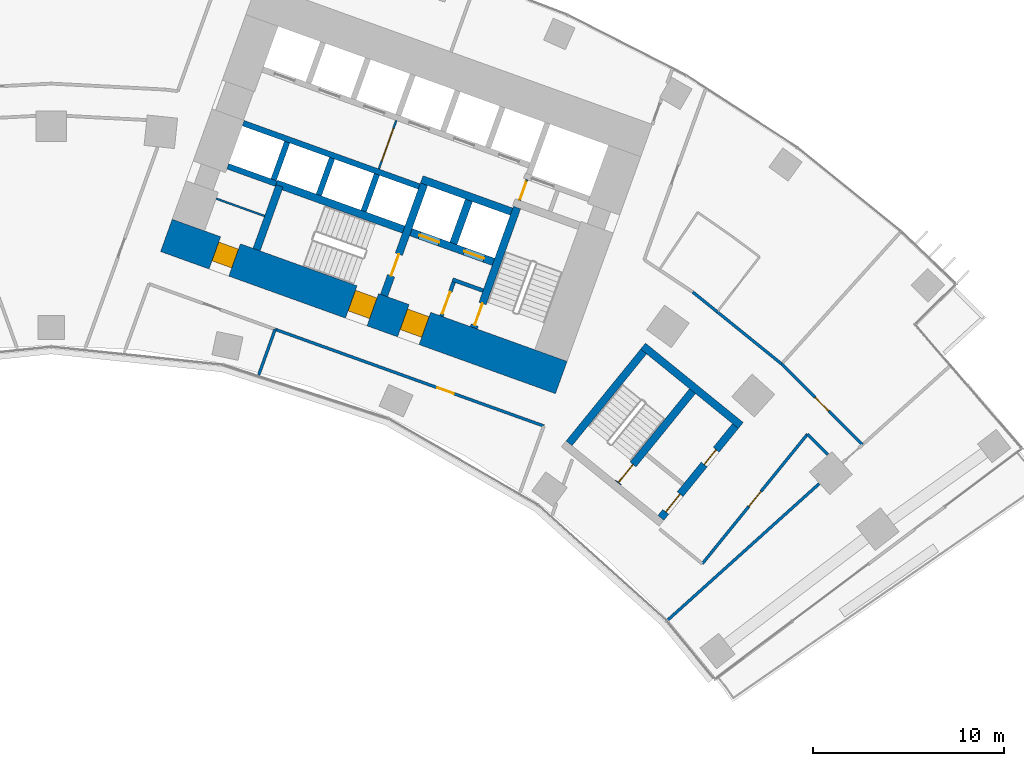
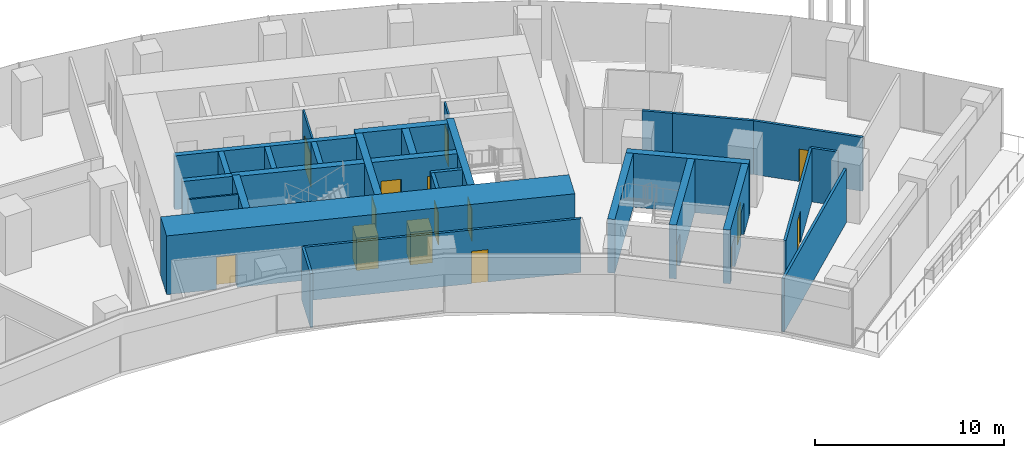
# One storey, part 17 of 21: 29 walls, 16 doors, 16 openings.
"""IFC4 building model written with IfcOpenShell, lengths in metres."""

import ifcopenshell
import ifcopenshell.guid

model = None  # the IFC model being written
_history = None  # IfcOwnerHistory: only IFC2X3 demands one
_inside = {}  # id of a spatial element -> (the spatial element, [elements in it])
_under = {}  # id of a project, library or spatial element -> (it, [spatial elements below it])
_declared = {}  # id of a project -> (the project, [libraries it declares])
_typed = {}  # id of a type object -> (the type object, [elements of that type])
_made_of = {}  # id of a material, layer set ... -> (it, [elements and type objects made of it])


def new_model(schema):
    """Start an empty IFC model of exactly this schema.

    Asked for "IFC4X3", IfcOpenShell would pick the latest addendum, in which some entities
    have other attributes; the version numbers below select the first issue.
    IFC2X3 requires an IfcOwnerHistory on every rooted entity: one is made here for all.
    """
    global model, _history
    if schema == "IFC4X3":
        model = ifcopenshell.file(schema_version=(4, 3, 0, 0))
    else:
        model = ifcopenshell.file(schema=schema)
    _inside.clear()
    _under.clear()
    _declared.clear()
    _typed.clear()
    _made_of.clear()
    _history = None
    if model.schema == "IFC2X3":
        org = make("IfcOrganization", Name="unknown")
        user = make(
            "IfcPersonAndOrganization",
            ThePerson=make("IfcPerson", FamilyName="unknown"),
            TheOrganization=org,
        )
        app = make(
            "IfcApplication",
            ApplicationDeveloper=org,
            Version="unknown",
            ApplicationFullName="unknown",
            ApplicationIdentifier="unknown",
        )
        _history = make(
            "IfcOwnerHistory",
            OwningUser=user,
            OwningApplication=app,
            ChangeAction="ADDED",
            CreationDate=0,
        )
    return model


def make(cls, **values):
    """One entity of the class cls with the attributes given. An attribute that is None is left unset."""
    return model.create_entity(
        cls, **{name: value for name, value in values.items() if value is not None}
    )


def rooted(cls, **values):
    """An entity with a GlobalId (a new one), such as an element, a storey or a relation."""
    return make(cls, GlobalId=ifcopenshell.guid.new(), OwnerHistory=_history, **values)


def si_unit(unit_type, name, prefix=None):
    """IfcSIUnit, for example si_unit("LENGTHUNIT", "METRE", prefix="MILLI")."""
    return make("IfcSIUnit", UnitType=unit_type, Prefix=prefix, Name=name)


def assignment(units):
    """IfcUnitAssignment: the units of a project."""
    return None if units is None else make("IfcUnitAssignment", Units=units)


def point(xyz):
    """IfcCartesianPoint."""
    return None if xyz is None else make("IfcCartesianPoint", Coordinates=xyz)


def direction(xyz):
    """IfcDirection."""
    return None if xyz is None else make("IfcDirection", DirectionRatios=xyz)


def frame(location, z_axis=None, x_axis=None):
    """IfcAxis2Placement3D, a coordinate frame: its origin and axes. An axis left out is left unset."""
    return make(
        "IfcAxis2Placement3D",
        Location=point(location),
        Axis=direction(z_axis),
        RefDirection=direction(x_axis),
    )


def frame_2d(location, x_axis=None):
    """IfcAxis2Placement2D, a coordinate frame in the plane: its origin and x axis."""
    return make(
        "IfcAxis2Placement2D", Location=point(location), RefDirection=direction(x_axis)
    )


def origin():
    """The frame at (0, 0, 0) with its axes left unset."""
    return frame((0.0, 0.0, 0.0))


def place(relative_to, where):
    """IfcLocalPlacement: puts the frame where relative to a parent placement (None: the world)."""
    return make(
        "IfcLocalPlacement", PlacementRelTo=relative_to, RelativePlacement=where
    )


def context(
    kind, dimensions, precision=None, world=None, true_north=None, identifier=None
):
    """IfcGeometricRepresentationContext, for example the 3D "Model" context."""
    return make(
        "IfcGeometricRepresentationContext",
        ContextIdentifier=identifier,
        ContextType=kind,
        CoordinateSpaceDimension=dimensions,
        Precision=precision,
        WorldCoordinateSystem=world,
        TrueNorth=true_north,
    )


def subcontext(parent, identifier, kind, view, scale=None):
    """IfcGeometricRepresentationSubContext, for example "Body" below "Model"."""
    return make(
        "IfcGeometricRepresentationSubContext",
        ContextIdentifier=identifier,
        ContextType=kind,
        ParentContext=parent,
        TargetScale=scale,
        TargetView=view,
    )


def project(units=None, contexts=None):
    """IfcProject with its units and contexts."""
    return rooted(
        "IfcProject",
        Name="project",
        RepresentationContexts=contexts,
        UnitsInContext=assignment(units),
    )


def spatial(cls, under=None, at=None, **own):
    """A site, building, storey or space (cls), placed at a placement, below another one or the project."""
    s = rooted(cls, ObjectPlacement=at, **own)
    if under is not None:
        _under.setdefault(under.id(), (under, []))[1].append(s)
    return s


def profile(cls, at=None, kind="AREA", **sizes):
    """A parametric profile (cls). Its sizes go by their IFC names, for example OverallWidth=200.0."""
    return make(cls, ProfileType=kind, Position=at, **sizes)


def rectangle(**sizes):
    """IfcRectangleProfileDef."""
    return profile("IfcRectangleProfileDef", **sizes)


def extrude(swept, where, along, depth):
    """IfcExtrudedAreaSolid: the profile swept, set in the frame where, extruded along a direction by depth."""
    return make(
        "IfcExtrudedAreaSolid",
        SweptArea=swept,
        Position=where,
        ExtrudedDirection=direction(along),
        Depth=depth,
    )


def shape(context_of_items, identifier, shape_type, items):
    """IfcShapeRepresentation: the items that make up one representation, for example the "Body"."""
    return make(
        "IfcShapeRepresentation",
        ContextOfItems=context_of_items,
        RepresentationIdentifier=identifier,
        RepresentationType=shape_type,
        Items=items,
    )


def material(Name=None, Category=None):
    """IfcMaterial."""
    return make("IfcMaterial", Name=Name, Category=Category)


def layer(
    of_material, thickness, ventilated=None, Name=None, Category=None, Priority=None
):
    """IfcMaterialLayer: one layer of a wall or slab, of a material (None: an air gap)."""
    return make(
        "IfcMaterialLayer",
        Material=of_material,
        LayerThickness=thickness,
        IsVentilated=ventilated,
        Name=Name,
        Category=Category,
        Priority=Priority,
    )


def layer_set(layers, Name=None):
    """IfcMaterialLayerSet."""
    return make("IfcMaterialLayerSet", MaterialLayers=layers, LayerSetName=Name)


def made_of(thing, what):
    """Note that an element or type object is made of a material, layer set ...; save() writes the relation."""
    if what is not None:
        _made_of.setdefault(what.id(), (what, []))[1].append(thing)
    return thing


def type_object(cls, material=None, **own):
    """A type object (cls), such as IfcWallType, which elements share."""
    return made_of(rooted(cls, **own), material)


def element(
    cls,
    number,
    at=None,
    inside=None,
    cuts=None,
    type_object=None,
    material=None,
    context=None,
    identifier="Body",
    shape_type=None,
    held_by="IfcProductDefinitionShape",
    body=None,
    shapes=None,
    **own,
):
    """One element of the class cls, such as IfcWall. Its Tag is "e" and its number.

    at: its placement. inside: the storey or other place that contains it. cuts: it is an
    opening in that element (IfcRelVoidsElement). A single representation is given by context,
    identifier, shape_type and body (its items); several are given by shapes. held_by: the class
    of the entity that holds the representations. save() writes the other relations.
    """
    e = rooted(cls, Tag="e%d" % number, ObjectPlacement=at, **own)
    if body is not None:
        shapes = [shape(context, identifier, shape_type, body)]
    if shapes is not None:
        e.Representation = make(held_by, Representations=shapes)
    if inside is not None:
        _inside.setdefault(inside.id(), (inside, []))[1].append(e)
    if cuts is not None:
        rooted(
            "IfcRelVoidsElement", RelatingBuildingElement=cuts, RelatedOpeningElement=e
        )
    if type_object is not None:
        _typed.setdefault(type_object.id(), (type_object, []))[1].append(e)
    return made_of(e, material)


def fill(opening, filler):
    """IfcRelFillsElement: the door or window that sits in an opening."""
    return rooted(
        "IfcRelFillsElement",
        RelatingOpeningElement=opening,
        RelatedBuildingElement=filler,
    )


def aggregate(whole, parts):
    """IfcRelAggregates: a whole, such as a stair, and the parts it consists of."""
    return rooted("IfcRelAggregates", RelatingObject=whole, RelatedObjects=parts)


def save(model, path):
    """Write the relations noted so far, then the file.

    IfcRelAggregates (storeys below a building ...), IfcRelContainedInSpatialStructure (elements
    in a storey), IfcRelDefinesByType, IfcRelAssociatesMaterial and IfcRelDeclares: one each for
    every whole, place, type object, material and project.
    """
    for whole, parts in _under.values():
        aggregate(whole, parts)
    for where, things in _inside.values():
        rooted(
            "IfcRelContainedInSpatialStructure",
            RelatedElements=things,
            RelatingStructure=where,
        )
    for kind, things in _typed.values():
        rooted("IfcRelDefinesByType", RelatedObjects=things, RelatingType=kind)
    for what, things in _made_of.values():
        rooted("IfcRelAssociatesMaterial", RelatedObjects=things, RelatingMaterial=what)
    for by, libraries in _declared.values():
        rooted("IfcRelDeclares", RelatingContext=by, RelatedDefinitions=libraries)
    model.write(path)


model = new_model("IFC4")

# Units and contexts
model_context = context("Model", 3, precision=1e-05, world=origin(), true_north=direction((0.0, 1.0)))
body_context = subcontext(model_context, "Body", "Model", "MODEL_VIEW")
ifc_project = project(units=[si_unit("LENGTHUNIT", "METRE"), si_unit("AREAUNIT", "SQUARE_METRE"), si_unit("VOLUMEUNIT", "CUBIC_METRE"), si_unit("PLANEANGLEUNIT", "RADIAN"), si_unit("MASSUNIT", "GRAM", prefix="KILO")], contexts=[model_context])

# Site, building, storey
site_placement = place(None, origin())
site = spatial("IfcSite", under=ifc_project, at=site_placement, CompositionType="ELEMENT")
building_placement = place(site_placement, origin())
building = spatial("IfcBuilding", under=site, at=building_placement, Name="Stone Belt Terrace Tower", CompositionType="ELEMENT")
storey_placement = place(building_placement, frame((0.0, 0.0, 68.0)))
storey = spatial("IfcBuildingStorey", under=building, at=storey_placement, Name="L16", CompositionType="ELEMENT", Elevation=68.0)

# Wall, opening, door
ifc_material_1 = material(Name="Plasterboard partition")
ifc_layer_1 = layer(ifc_material_1, 0.10009765625)
ifc_layer_set_1 = layer_set([ifc_layer_1], Name="Core partition 100")
wall_type_1 = type_object("IfcWallType", Name="Core partition 100", PredefinedType="PARTITIONING", material=ifc_layer_set_1)
wall_1_placement = place(storey_placement, frame((24.555908203125, 51.10400390625, 0.0), z_axis=(0.0, 0.0, 1.0), x_axis=(0.338621735342, 0.94092258999, 0.0)))
wall_1 = element("IfcWall", 1, at=wall_1_placement, inside=storey, type_object=wall_type_1, Name="Core B wall", PredefinedType="PARTITIONING", context=body_context, shape_type="SweptSolid", body=[
    extrude(rectangle(XDim=1.14990234375, YDim=0.10009765625, at=frame_2d((0.574951171875, 0.0))), origin(), (0.0, 0.0, 1.0), 3.47998046875),
])
opening_1_placement = place(wall_1_placement, frame((0.050048828125, 0.0, 0.0)))
opening_1 = element("IfcOpeningElement", 2, at=opening_1_placement, cuts=wall_1, Name="Opening L16-C13", PredefinedType="OPENING", context=body_context, shape_type="SweptSolid", body=[
    extrude(rectangle(XDim=1.0, YDim=2.10009765625, at=frame_2d((0.5, 1.050048828125))), frame((0.0, 0.06005859375, 0.0), z_axis=(0.0, -1.0, 0.0), x_axis=(1.0, 0.0, 0.0)), (0.0, 0.0, 1.0), 0.1201171875),
])
ifc_material_2 = material(Name="Timber door leaf", Category="wood")
door_type_1 = type_object("IfcDoorType", Name="Core room door 1000", OperationType="SINGLE_SWING_LEFT", PredefinedType="DOOR", material=ifc_material_2)
door_1_placement = place(opening_1_placement, origin())
door_1 = element("IfcDoor", 3, at=door_1_placement, inside=storey, type_object=door_type_1, Name="Service lift lobby door core B", OperationType="SINGLE_SWING_LEFT", OverallHeight=2.10009765625, OverallWidth=1.0, PredefinedType="DOOR", context=body_context, shape_type="SweptSolid", body=[
    extrude(rectangle(XDim=1.0, YDim=2.10009765625, at=frame_2d((0.5, 1.050048828125))), frame((0.0, 0.02490234375, 0.0), z_axis=(0.0, -1.0, 0.0), x_axis=(1.0, 0.0, 0.0)), (0.0, 0.0, 1.0), 0.050048828125),
])
fill(opening_1, door_1)

wall_2_placement = place(storey_placement, frame((17.17724609375, 52.749755859375, 0.0), z_axis=(0.0, 0.0, 1.0), x_axis=(0.338546555931, 0.940949642365, 0.0)))
wall_2 = element("IfcWall", 4, at=wall_2_placement, inside=storey, type_object=wall_type_1, Name="Core B wall", PredefinedType="PARTITIONING", context=body_context, shape_type="SweptSolid", body=[
    extrude(rectangle(XDim=2.699951171875, YDim=0.10009765625, at=frame_2d((1.35009765625, 0.0))), origin(), (0.0, 0.0, 1.0), 3.47998046875),
])
opening_2_placement = place(wall_2_placement, frame((0.449951171875, 0.0, 0.0)))
opening_2 = element("IfcOpeningElement", 5, at=opening_2_placement, cuts=wall_2, Name="Opening L16-C14", PredefinedType="OPENING", context=body_context, shape_type="SweptSolid", body=[
    extrude(rectangle(XDim=1.800048828125, YDim=2.10009765625, at=frame_2d((0.89990234375, 1.050048828125))), frame((0.0, 0.06005859375, 0.0), z_axis=(0.0, -1.0, 0.0), x_axis=(1.0, 0.0, 0.0)), (0.0, 0.0, 1.0), 0.1201171875),
])
ifc_material_3 = material(Name="Glazed aluminium door leaf", Category="aluminium")
door_type_2 = type_object("IfcDoorType", Name="Lift lobby entrance door 1800", OperationType="DOUBLE_DOOR_SINGLE_SWING", PredefinedType="DOOR", material=ifc_material_3)
door_2_placement = place(opening_2_placement, origin())
door_2 = element("IfcDoor", 6, at=door_2_placement, inside=storey, type_object=door_type_2, Name="Lift lobby double door core B", OperationType="DOUBLE_DOOR_SINGLE_SWING", OverallHeight=2.10009765625, OverallWidth=1.800048828125, PredefinedType="DOOR", context=body_context, shape_type="SweptSolid", body=[
    extrude(rectangle(XDim=1.800048828125, YDim=2.10009765625, at=frame_2d((0.89990234375, 1.050048828125))), frame((0.0, 0.02490234375, 0.0), z_axis=(0.0, -1.0, 0.0), x_axis=(1.0, 0.0, 0.0)), (0.0, 0.0, 1.0), 0.050048828125),
])
fill(opening_2, door_2)

# Wall
wall_3_placement = place(storey_placement, frame((11.187744140625, 50.2822265625, 0.0), z_axis=(0.0, 0.0, 1.0), x_axis=(-0.940949642365, 0.338546555931, 0.0)))
element("IfcWall", 7, at=wall_3_placement, inside=storey, type_object=wall_type_1, Name="Core B wall", PredefinedType="PARTITIONING", context=body_context, shape_type="SweptSolid", body=[
    extrude(rectangle(XDim=2.699951171875, YDim=0.10009765625, at=frame_2d((1.35009765625, 0.0))), origin(), (0.0, 0.0, 1.0), 3.47998046875),
])

# Wall, openings, doors
ifc_material_4 = material(Name="Concrete B80", Category="concrete")
ifc_layer_2 = layer(ifc_material_4, 1.800048828125)
ifc_layer_set_2 = layer_set([ifc_layer_2], Name="Core wall 1800 B80")
wall_type_2 = type_object("IfcWallType", Name="Core wall 1800 B80", PredefinedType="SHEAR", material=ifc_layer_set_2)
wall_4_placement = place(storey_placement, frame((6.039306640625, 49.265380859375, 0.0), z_axis=(0.0, 0.0, 1.0), x_axis=(0.940921642213, -0.338624368902, 0.0)))
wall_4 = element("IfcWall", 8, at=wall_4_placement, inside=storey, type_object=wall_type_2, Name="Core B wall concave L16", PredefinedType="SHEAR", context=body_context, shape_type="SweptSolid", body=[
    extrude(rectangle(XDim=22.0, YDim=1.800048828125, at=frame_2d((11.0, 0.0))), origin(), (0.0, 0.0, 1.0), 3.800048828125),
])
opening_3_placement = place(wall_4_placement, frame((13.199951171875, 0.0, 0.0)))
opening_3 = element("IfcOpeningElement", 9, at=opening_3_placement, cuts=wall_4, Name="Opening L16-C18", PredefinedType="OPENING", context=body_context, shape_type="SweptSolid", body=[
    extrude(rectangle(XDim=1.199951171875, YDim=2.10009765625, at=frame_2d((0.60009765625, 1.050048828125))), frame((0.0, 0.909912109375, 0.0), z_axis=(0.0, -1.0, 0.0), x_axis=(1.0, 0.0, 0.0)), (0.0, 0.0, 1.0), 1.820068359375),
])
opening_4_placement = place(wall_4_placement, frame((10.300048828125, 0.0, 0.0)))
opening_4 = element("IfcOpeningElement", 10, at=opening_4_placement, cuts=wall_4, Name="Opening L16-C20", PredefinedType="OPENING", context=body_context, shape_type="SweptSolid", body=[
    extrude(rectangle(XDim=1.199951171875, YDim=2.10009765625, at=frame_2d((0.60009765625, 1.050048828125))), frame((0.0, 0.909912109375, 0.0), z_axis=(0.0, -1.0, 0.0), x_axis=(1.0, 0.0, 0.0)), (0.0, 0.0, 1.0), 1.820068359375),
])
opening_5_placement = place(wall_4_placement, frame((2.699951171875, 0.0, 0.0)))
opening_5 = element("IfcOpeningElement", 11, at=opening_5_placement, cuts=wall_4, Name="Opening L16-C22", PredefinedType="OPENING", context=body_context, shape_type="SweptSolid", body=[
    extrude(rectangle(XDim=1.10009765625, YDim=2.10009765625, at=frame_2d((0.550048828125, 1.050048828125))), frame((0.0, 0.909912109375, 0.0), z_axis=(0.0, -1.0, 0.0), x_axis=(1.0, 0.0, 0.0)), (0.0, 0.0, 1.0), 1.820068359375),
])
door_type_3 = type_object("IfcDoorType", Name="Core room door 1100", OperationType="SINGLE_SWING_LEFT", PredefinedType="DOOR", material=ifc_material_2)
door_3_placement = place(opening_5_placement, origin())
door_3 = element("IfcDoor", 12, at=door_3_placement, inside=storey, type_object=door_type_3, Name="Door to Cleaner's store core B", OperationType="SINGLE_SWING_LEFT", OverallHeight=2.10009765625, OverallWidth=1.10009765625, PredefinedType="DOOR", context=body_context, shape_type="SweptSolid", body=[
    extrude(rectangle(XDim=1.10009765625, YDim=2.10009765625, at=frame_2d((0.550048828125, 1.050048828125))), frame((0.0, 0.60498046875, 0.0), z_axis=(0.0, -1.0, 0.0), x_axis=(1.0, 0.0, 0.0)), (0.0, 0.0, 1.0), 1.050048828125),
])
fill(opening_5, door_3)
ifc_material_5 = material(Name="Steel door leaf", Category="steel")
door_type_4 = type_object("IfcDoorType", Name="Fire-fighting lobby door 1200", OperationType="SINGLE_SWING_LEFT", PredefinedType="DOOR", material=ifc_material_5)
door_4_placement = place(opening_3_placement, origin())
door_4 = element("IfcDoor", 13, at=door_4_placement, inside=storey, type_object=door_type_4, Name="Fire-fighting lobby door core B", OperationType="SINGLE_SWING_LEFT", OverallHeight=2.10009765625, OverallWidth=1.199951171875, PredefinedType="DOOR", context=body_context, shape_type="SweptSolid", body=[
    extrude(rectangle(XDim=1.199951171875, YDim=2.10009765625, at=frame_2d((0.60009765625, 1.050048828125))), frame((0.0, 0.655029296875, 0.0), z_axis=(0.0, -1.0, 0.0), x_axis=(1.0, 0.0, 0.0)), (0.0, 0.0, 1.0), 1.14990234375),
])
fill(opening_3, door_4)
door_type_5 = type_object("IfcDoorType", Name="Stair door 1200", OperationType="SINGLE_SWING_LEFT", PredefinedType="DOOR", material=ifc_material_5)
door_5_placement = place(opening_4_placement, origin())
door_5 = element("IfcDoor", 14, at=door_5_placement, inside=storey, type_object=door_type_5, Name="Stair 2 exit door core B", OperationType="SINGLE_SWING_RIGHT", OverallHeight=2.10009765625, OverallWidth=1.199951171875, PredefinedType="DOOR", context=body_context, shape_type="SweptSolid", body=[
    extrude(rectangle(XDim=1.199951171875, YDim=2.10009765625, at=frame_2d((0.60009765625, 1.050048828125))), frame((0.0, 0.655029296875, 0.0), z_axis=(0.0, -1.0, 0.0), x_axis=(1.0, 0.0, 0.0)), (0.0, 0.0, 1.0), 1.14990234375),
])
fill(opening_4, door_5)

# Walls
ifc_layer_3 = layer(ifc_material_4, 0.39990234375)
ifc_layer_set_3 = layer_set([ifc_layer_3], Name="Fire-fighting lift shaft wall 400")
wall_type_3 = type_object("IfcWallType", Name="Fire-fighting lift shaft wall 400", PredefinedType="SHEAR", material=ifc_layer_set_3)
wall_5_placement = place(storey_placement, frame((24.130615234375, 50.512939453125, 0.0), z_axis=(0.0, 0.0, 1.0), x_axis=(-0.94091168377, 0.338652038744, 0.0)))
element("IfcWall", 15, at=wall_5_placement, inside=storey, type_object=wall_type_3, Name="Core B wall", PredefinedType="SHEAR", context=body_context, shape_type="SweptSolid", body=[
    extrude(rectangle(XDim=5.000244140625, YDim=0.39990234375, at=frame_2d((2.5, 0.0))), origin(), (0.0, 0.0, 1.0), 3.47998046875),
])
wall_6_placement = place(storey_placement, frame((21.0859375, 48.845458984375, 0.0), z_axis=(0.0, 0.0, 1.0), x_axis=(0.338629416206, 0.940919825745, 0.0)))
element("IfcWall", 16, at=wall_6_placement, inside=storey, type_object=wall_type_3, Name="Core B wall", PredefinedType="SHEAR", context=body_context, shape_type="SweptSolid", body=[
    extrude(rectangle(XDim=2.400146484375, YDim=0.39990234375, at=frame_2d((1.2001953125, 0.0))), origin(), (0.0, 0.0, 1.0), 3.47998046875),
])
ifc_layer_4 = layer(ifc_material_4, 0.300048828125)
ifc_layer_set_4 = layer_set([ifc_layer_4], Name="Lift shaft wall 300")
wall_type_4 = type_object("IfcWallType", Name="Lift shaft wall 300", PredefinedType="SHEAR", material=ifc_layer_set_4)
wall_7_placement = place(storey_placement, frame((19.29052734375, 51.829833984375, 0.0), z_axis=(0.0, 0.0, 1.0), x_axis=(-0.940925833398, 0.338612722803, 0.0)))
element("IfcWall", 17, at=wall_7_placement, inside=storey, type_object=wall_type_4, Name="Core B wall", PredefinedType="SHEAR", context=body_context, shape_type="SweptSolid", body=[
    extrude(rectangle(XDim=9.7998046875, YDim=0.300048828125, at=frame_2d((4.89990234375, 0.0))), origin(), (0.0, 0.0, 1.0), 3.47998046875),
])
for number, where, z_axis, x_axis, name in (
    (18, (16.38134765625, 50.53857421875, 0.0), (0.0, 0.0, 1.0), (0.338681515556, 0.940901073982, 0.0), "Core B wall"),
    (19, (14.029052734375, 51.38525390625, 0.0), (0.0, 0.0, 1.0), (0.338681515556, 0.940901073982, 0.0), "Core B wall"),
):
    element("IfcWall", number, at=place(storey_placement, frame(where, z_axis=z_axis, x_axis=x_axis)), inside=storey, type_object=wall_type_4, Name=name, PredefinedType="SHEAR", context=body_context, shape_type="SweptSolid", body=[
        extrude(rectangle(XDim=2.050048828125, YDim=0.300048828125, at=frame_2d((1.02490234375, 0.0))), origin(), (0.0, 0.0, 1.0), 3.47998046875),
    ])
wall_8_placement = place(storey_placement, frame((11.797119140625, 51.975830078125, 0.0), z_axis=(0.0, 0.0, 1.0), x_axis=(-0.940910465161, 0.33865542451, 0.0)))
element("IfcWall", 20, at=wall_8_placement, inside=storey, type_object=wall_type_4, Name="Core B wall", PredefinedType="SHEAR", context=body_context, shape_type="SweptSolid", body=[
    extrude(rectangle(XDim=2.69970703125, YDim=0.300048828125, at=frame_2d((1.349853515625, 0.0))), origin(), (0.0, 0.0, 1.0), 3.47998046875),
])
wall_9_placement = place(storey_placement, frame((11.659912109375, 52.184814453125, 0.0), z_axis=(0.0, 0.0, 1.0), x_axis=(0.338670064856, 0.940905195634, 0.0)))
element("IfcWall", 21, at=wall_9_placement, inside=storey, type_object=wall_type_4, Name="Core B wall", PredefinedType="SHEAR", context=body_context, shape_type="SweptSolid", body=[
    extrude(rectangle(XDim=2.099853515625, YDim=0.300048828125, at=frame_2d((1.0498046875, 0.0))), origin(), (0.0, 0.0, 1.0), 3.47998046875),
])

# Wall, opening, door
ifc_material_6 = material(Name="Gypsum board partition")
ifc_layer_5 = layer(ifc_material_6, 0.14990234375)
ifc_layer_set_5 = layer_set([ifc_layer_5], Name="PARTITION 150 EI 60")
wall_type_5 = type_object("IfcWallType", Name="PARTITION 150 EI 60", PredefinedType="PARTITIONING", material=ifc_layer_set_5)
wall_10_placement = place(storey_placement, frame((25.824951171875, 39.27490234375, 0.0), z_axis=(0.0, 0.0, 1.0), x_axis=(-0.940924398341, 0.338616710466, 0.0)))
wall_10 = element("IfcWall", 22, at=wall_10_placement, inside=storey, type_object=wall_type_5, Name="L16/wall/i028", PredefinedType="PARTITIONING", context=body_context, shape_type="SweptSolid", body=[
    extrude(rectangle(XDim=14.975830078125, YDim=0.14990234375, at=frame_2d((7.48779296875, 0.0))), origin(), (0.0, 0.0, 1.0), 3.47998046875),
])
opening_6_placement = place(wall_10_placement, frame((5.0166015625, 0.0, 0.0)))
opening_6 = element("IfcOpeningElement", 23, at=opening_6_placement, cuts=wall_10, Name="Opening D-A5-06", PredefinedType="OPENING", context=body_context, shape_type="SweptSolid", body=[
    extrude(rectangle(XDim=0.89990234375, YDim=2.10009765625, at=frame_2d((0.449951171875, 1.050048828125))), frame((0.0, 0.0849609375, 0.0), z_axis=(0.0, -1.0, 0.0), x_axis=(1.0, 0.0, 0.0)), (0.0, 0.0, 1.0), 0.169921875),
])
door_type_6 = type_object("IfcDoorType", Name="OFFICE DOOR 900 X 2100", OperationType="NOTDEFINED", PredefinedType="DOOR", material=ifc_material_2)
door_6_placement = place(opening_6_placement, origin())
door_6 = element("IfcDoor", 24, at=door_6_placement, inside=storey, type_object=door_type_6, Name="L16/door/i06", OperationType="SINGLE_SWING_LEFT", OverallHeight=2.10009765625, OverallWidth=0.89990234375, PredefinedType="DOOR", context=body_context, shape_type="SweptSolid", body=[
    extrude(rectangle(XDim=0.89990234375, YDim=2.10009765625, at=frame_2d((0.449951171875, 1.050048828125))), frame((0.0, 0.02490234375, 0.0), z_axis=(0.0, -1.0, 0.0), x_axis=(1.0, 0.0, 0.0)), (0.0, 0.0, 1.0), 0.050048828125),
])
fill(opening_6, door_6)

# Walls
wall_11_placement = place(storey_placement, frame((11.739990234375, 44.343994140625, 0.0), z_axis=(0.0, 0.0, 1.0), x_axis=(-0.338593578541, -0.940932722659, 0.0)))
element("IfcWall", 25, at=wall_11_placement, inside=storey, type_object=wall_type_5, Name="L16/wall/i029", PredefinedType="PARTITIONING", context=body_context, shape_type="SweptSolid", body=[
    extrude(rectangle(XDim=2.541015625, YDim=0.14990234375, at=frame_2d((1.2705078125, 0.0))), origin(), (0.0, 0.0, 1.0), 3.47998046875),
])
wall_12_placement = place(storey_placement, frame((32.32666015625, 29.107177734375, 0.0), z_axis=(0.0, 0.0, 1.0), x_axis=(0.743125739533, 0.66915180284, 0.0)))
element("IfcWall", 26, at=wall_12_placement, inside=storey, type_object=wall_type_5, Name="L16/wall/i060", PredefinedType="PARTITIONING", context=body_context, shape_type="SweptSolid", body=[
    extrude(rectangle(XDim=10.670166015625, YDim=0.14990234375, at=frame_2d((5.3349609375, 0.0))), origin(), (0.0, 0.0, 1.0), 3.47998046875),
])
wall_13_placement = place(storey_placement, frame((40.71240234375, 37.7744140625, 0.0), z_axis=(0.0, 0.0, 1.0), x_axis=(-0.707106781187, 0.707106781187, 0.0)))
element("IfcWall", 27, at=wall_13_placement, inside=storey, type_object=wall_type_5, Name="L16/wall/i062", PredefinedType="PARTITIONING", context=body_context, shape_type="SweptSolid", body=[
    extrude(rectangle(XDim=1.51806640625, YDim=0.14990234375, at=frame_2d((0.759033203125, 0.0))), origin(), (0.0, 0.0, 1.0), 3.47998046875),
])
wall_14_placement = place(storey_placement, frame((34.909912109375, 45.263916015625, 0.0), z_axis=(0.0, 0.0, 1.0), x_axis=(0.777186041136, -0.629270893545, 0.0)))
element("IfcWall", 28, at=wall_14_placement, inside=storey, type_object=wall_type_5, Name="L16/wall/i064", PredefinedType="PARTITIONING", context=body_context, shape_type="SweptSolid", body=[
    extrude(rectangle(XDim=4.34912109375, YDim=0.14990234375, at=frame_2d((2.174560546875, 0.0))), origin(), (0.0, 0.0, 1.0), 3.47998046875),
])
wall_15_placement = place(storey_placement, frame((33.635986328125, 46.2958984375, 0.0), z_axis=(0.0, 0.0, 1.0), x_axis=(0.777120971984, -0.629351249226, 0.0)))
element("IfcWall", 29, at=wall_15_placement, inside=storey, type_object=wall_type_5, Name="L16/wall/i066", PredefinedType="PARTITIONING", context=body_context, shape_type="SweptSolid", body=[
    extrude(rectangle(XDim=1.652099609375, YDim=0.14990234375, at=frame_2d((0.826171875, 0.0))), origin(), (0.0, 0.0, 1.0), 3.47998046875),
])

# Wall, opening, door
wall_16_placement = place(storey_placement, frame((38.291015625, 42.52587890625, 0.0), z_axis=(0.0, 0.0, 1.0), x_axis=(0.707106781187, -0.707106781187, 0.0)))
wall_16 = element("IfcWall", 30, at=wall_16_placement, inside=storey, type_object=wall_type_5, Name="L16/wall/i067", PredefinedType="PARTITIONING", context=body_context, shape_type="SweptSolid", body=[
    extrude(rectangle(XDim=5.989013671875, YDim=0.14990234375, at=frame_2d((2.99462890625, 0.0))), origin(), (0.0, 0.0, 1.0), 3.47998046875),
])
opening_7_placement = place(wall_16_placement, frame((2.49462890625, 0.0, 0.0)))
opening_7 = element("IfcOpeningElement", 31, at=opening_7_placement, cuts=wall_16, Name="Opening D-A5-23", PredefinedType="OPENING", context=body_context, shape_type="SweptSolid", body=[
    extrude(rectangle(XDim=1.0, YDim=2.10009765625, at=frame_2d((0.5, 1.050048828125))), frame((0.0, 0.0849609375, 0.0), z_axis=(0.0, -1.0, 0.0), x_axis=(1.0, 0.0, 0.0)), (0.0, 0.0, 1.0), 0.169921875),
])
ifc_material_7 = material(Name="Timber fire door leaf", Category="wood")
door_type_7 = type_object("IfcDoorType", Name="TENANCY ENTRANCE DOOR 1000 X 2100", OperationType="NOTDEFINED", PredefinedType="DOOR", material=ifc_material_7)
door_7_placement = place(opening_7_placement, origin())
door_7 = element("IfcDoor", 32, at=door_7_placement, inside=storey, type_object=door_type_7, Name="L16/door/i23", OperationType="SINGLE_SWING_RIGHT", OverallHeight=2.10009765625, OverallWidth=1.0, PredefinedType="DOOR", context=body_context, shape_type="SweptSolid", body=[
    extrude(rectangle(XDim=1.0, YDim=2.10009765625, at=frame_2d((0.5, 1.050048828125))), frame((0.0, 0.02490234375, 0.0), z_axis=(0.0, -1.0, 0.0), x_axis=(1.0, 0.0, 0.0)), (0.0, 0.0, 1.0), 0.050048828125),
])
fill(opening_7, door_7)

wall_17_placement = place(storey_placement, frame((34.133056640625, 32.055908203125, 0.0), z_axis=(0.0, 0.0, 1.0), x_axis=(0.630226712005, 0.776411161354, 0.0)))
wall_17 = element("IfcWall", 33, at=wall_17_placement, inside=storey, type_object=wall_type_5, Name="L16/wall/i068", PredefinedType="PARTITIONING", context=body_context, shape_type="SweptSolid", body=[
    extrude(rectangle(XDim=8.742919921875, YDim=0.14990234375, at=frame_2d((4.37158203125, 0.0))), origin(), (0.0, 0.0, 1.0), 3.47998046875),
])
opening_8_placement = place(wall_17_placement, frame((3.871337890625, 0.0, 0.0)))
opening_8 = element("IfcOpeningElement", 34, at=opening_8_placement, cuts=wall_17, Name="Opening D-A5-20", PredefinedType="OPENING", context=body_context, shape_type="SweptSolid", body=[
    extrude(rectangle(XDim=1.0, YDim=2.10009765625, at=frame_2d((0.5, 1.050048828125))), frame((0.0, 0.0849609375, 0.0), z_axis=(0.0, -1.0, 0.0), x_axis=(1.0, 0.0, 0.0)), (0.0, 0.0, 1.0), 0.169921875),
])
door_8_placement = place(opening_8_placement, origin())
door_8 = element("IfcDoor", 35, at=door_8_placement, inside=storey, type_object=door_type_7, Name="L16/door/i20", OperationType="SINGLE_SWING_RIGHT", OverallHeight=2.10009765625, OverallWidth=1.0, PredefinedType="DOOR", context=body_context, shape_type="SweptSolid", body=[
    extrude(rectangle(XDim=1.0, YDim=2.10009765625, at=frame_2d((0.5, 1.050048828125))), frame((0.0, 0.02490234375, 0.0), z_axis=(0.0, -1.0, 0.0), x_axis=(1.0, 0.0, 0.0)), (0.0, 0.0, 1.0), 0.050048828125),
])
fill(opening_8, door_8)

# Wall
ifc_material_8 = material(Name="Concrete masonry block", Category="masonry")
ifc_layer_6 = layer(ifc_material_8, 0.199951171875)
ifc_layer_set_6 = layer_set([ifc_layer_6], Name="Rated lobby wall 200")
wall_type_6 = type_object("IfcWallType", Name="Rated lobby wall 200", PredefinedType="PARTITIONING", material=ifc_layer_set_6)
wall_18_placement = place(storey_placement, frame((22.640625, 46.373046875, 0.0), z_axis=(0.0, 0.0, 1.0), x_axis=(-0.940966110313, 0.338500781747, 0.0)))
element("IfcWall", 36, at=wall_18_placement, inside=storey, type_object=wall_type_6, Name="Core B wall", PredefinedType="PARTITIONING", context=body_context, shape_type="SweptSolid", body=[
    extrude(rectangle(XDim=1.699951171875, YDim=0.199951171875, at=frame_2d((0.85009765625, 0.0))), origin(), (0.0, 0.0, 1.0), 3.47998046875),
])

# Wall, opening, door
wall_19_placement = place(storey_placement, frame((20.4580078125, 45.032958984375, 0.0), z_axis=(0.0, 0.0, 1.0), x_axis=(0.338573865316, 0.940939816208, 0.0)))
wall_19 = element("IfcWall", 37, at=wall_19_placement, inside=storey, type_object=wall_type_6, Name="Core B wall", PredefinedType="PARTITIONING", context=body_context, shape_type="SweptSolid", body=[
    extrude(rectangle(XDim=1.900146484375, YDim=0.199951171875, at=frame_2d((0.9501953125, 0.0))), origin(), (0.0, 0.0, 1.0), 3.47998046875),
])
opening_9_placement = place(wall_19_placement, frame((0.14990234375, 0.0, 0.0)))
opening_9 = element("IfcOpeningElement", 38, at=opening_9_placement, cuts=wall_19, Name="Opening L16-C17", PredefinedType="OPENING", context=body_context, shape_type="SweptSolid", body=[
    extrude(rectangle(XDim=1.199951171875, YDim=2.10009765625, at=frame_2d((0.60009765625, 1.050048828125))), frame((0.0, 0.10986328125, 0.0), z_axis=(0.0, -1.0, 0.0), x_axis=(1.0, 0.0, 0.0)), (0.0, 0.0, 1.0), 0.219970703125),
])
door_9_placement = place(opening_9_placement, origin())
door_9 = element("IfcDoor", 39, at=door_9_placement, inside=storey, type_object=door_type_5, Name="Stair airlock door core B", OperationType="SINGLE_SWING_LEFT", OverallHeight=2.10009765625, OverallWidth=1.199951171875, PredefinedType="DOOR", context=body_context, shape_type="SweptSolid", body=[
    extrude(rectangle(XDim=1.199951171875, YDim=2.10009765625, at=frame_2d((0.60009765625, 1.050048828125))), frame((0.0, 0.02490234375, 0.0), z_axis=(0.0, -1.0, 0.0), x_axis=(1.0, 0.0, 0.0)), (0.0, 0.0, 1.0), 0.050048828125),
])
fill(opening_9, door_9)

ifc_layer_7 = layer(ifc_material_4, 0.39990234375)
ifc_layer_set_7 = layer_set([ifc_layer_7], Name="Stair enclosure wall 400")
wall_type_7 = type_object("IfcWallType", Name="Stair enclosure wall 400", PredefinedType="SHEAR", material=ifc_layer_set_7)
wall_20_placement = place(storey_placement, frame((22.151611328125, 44.42333984375, 0.0), z_axis=(0.0, 0.0, 1.0), x_axis=(0.338625272931, 0.940921316866, 0.0)))
wall_20 = element("IfcWall", 40, at=wall_20_placement, inside=storey, type_object=wall_type_7, Name="Core B wall", PredefinedType="SHEAR", context=body_context, shape_type="SweptSolid", body=[
    extrude(rectangle(XDim=6.699951171875, YDim=0.39990234375, at=frame_2d((3.35009765625, 0.0))), origin(), (0.0, 0.0, 1.0), 3.47998046875),
])
opening_10_placement = place(wall_20_placement, frame((0.14990234375, 0.0, 0.0)))
opening_10 = element("IfcOpeningElement", 41, at=opening_10_placement, cuts=wall_20, Name="Opening L16-C16", PredefinedType="OPENING", context=body_context, shape_type="SweptSolid", body=[
    extrude(rectangle(XDim=1.199951171875, YDim=2.10009765625, at=frame_2d((0.60009765625, 1.050048828125))), frame((0.0, 0.2099609375, 0.0), z_axis=(0.0, -1.0, 0.0), x_axis=(1.0, 0.0, 0.0)), (0.0, 0.0, 1.0), 0.419921875),
])
door_10_placement = place(opening_10_placement, origin())
door_10 = element("IfcDoor", 42, at=door_10_placement, inside=storey, type_object=door_type_5, Name="Stair 1 door core B", OperationType="SINGLE_SWING_LEFT", OverallHeight=2.10009765625, OverallWidth=1.199951171875, PredefinedType="DOOR", context=body_context, shape_type="SweptSolid", body=[
    extrude(rectangle(XDim=1.199951171875, YDim=2.10009765625, at=frame_2d((0.60009765625, 1.050048828125))), frame((0.0, 0.02490234375, 0.0), z_axis=(0.0, -1.0, 0.0), x_axis=(1.0, 0.0, 0.0)), (0.0, 0.0, 1.0), 0.050048828125),
])
fill(opening_10, door_10)

# Wall, openings, doors
wall_21_placement = place(storey_placement, frame((23.182373046875, 47.87841796875, 0.0), z_axis=(0.0, 0.0, 1.0), x_axis=(-0.940921101762, 0.338625870628, 0.0)))
wall_21 = element("IfcWall", 43, at=wall_21_placement, inside=storey, type_object=wall_type_7, Name="Core B wall", PredefinedType="SHEAR", context=body_context, shape_type="SweptSolid", body=[
    extrude(rectangle(XDim=12.10009765625, YDim=0.39990234375, at=frame_2d((6.050048828125, 0.0))), origin(), (0.0, 0.0, 1.0), 3.47998046875),
])
opening_11_placement = place(wall_21_placement, frame((0.52001953125, 0.0, 0.0)))
opening_11 = element("IfcOpeningElement", 44, at=opening_11_placement, cuts=wall_21, Name="Opening L16-LD16", PredefinedType="OPENING", context=body_context, shape_type="SweptSolid", body=[
    extrude(rectangle(XDim=1.10009765625, YDim=2.199951171875, at=frame_2d((0.550048828125, 1.10009765625))), frame((0.0, 0.2099609375, 0.0), z_axis=(0.0, -1.0, 0.0), x_axis=(1.0, 0.0, 0.0)), (0.0, 0.0, 1.0), 0.419921875),
])
opening_12_placement = place(wall_21_placement, frame((3.02001953125, 0.0, 0.0)))
opening_12 = element("IfcOpeningElement", 45, at=opening_12_placement, cuts=wall_21, Name="Opening L16-LD17", PredefinedType="OPENING", context=body_context, shape_type="SweptSolid", body=[
    extrude(rectangle(XDim=1.10009765625, YDim=2.199951171875, at=frame_2d((0.550048828125, 1.10009765625))), frame((0.0, 0.2099609375, 0.0), z_axis=(0.0, -1.0, 0.0), x_axis=(1.0, 0.0, 0.0)), (0.0, 0.0, 1.0), 0.419921875),
])
ifc_material_9 = material(Name="Stainless steel door leaf", Category="steel")
door_type_8 = type_object("IfcDoorType", Name="Landing door 1100", OperationType="SLIDING_TO_LEFT", PredefinedType="DOOR", material=ifc_material_9)
door_11_placement = place(opening_11_placement, origin())
door_11 = element("IfcDoor", 46, at=door_11_placement, inside=storey, type_object=door_type_8, Name="Landing door FF1 core B", OperationType="SLIDING_TO_LEFT", OverallHeight=2.199951171875, OverallWidth=1.10009765625, PredefinedType="DOOR", context=body_context, shape_type="SweptSolid", body=[
    extrude(rectangle(XDim=1.10009765625, YDim=2.199951171875, at=frame_2d((0.550048828125, 1.10009765625))), frame((0.0, 0.02490234375, 0.0), z_axis=(0.0, -1.0, 0.0), x_axis=(1.0, 0.0, 0.0)), (0.0, 0.0, 1.0), 0.050048828125),
])
fill(opening_11, door_11)
door_12_placement = place(opening_12_placement, origin())
door_12 = element("IfcDoor", 47, at=door_12_placement, inside=storey, type_object=door_type_8, Name="Landing door FF2 core B", OperationType="SLIDING_TO_LEFT", OverallHeight=2.199951171875, OverallWidth=1.10009765625, PredefinedType="DOOR", context=body_context, shape_type="SweptSolid", body=[
    extrude(rectangle(XDim=1.10009765625, YDim=2.199951171875, at=frame_2d((0.550048828125, 1.10009765625))), frame((0.0, 0.02490234375, 0.0), z_axis=(0.0, -1.0, 0.0), x_axis=(1.0, 0.0, 0.0)), (0.0, 0.0, 1.0), 0.050048828125),
])
fill(opening_12, door_12)

# Wall, opening, door
wall_22_placement = place(storey_placement, frame((17.447021484375, 46.116455078125, 0.0), z_axis=(0.0, 0.0, 1.0), x_axis=(0.33860791464, 0.940927563707, 0.0)))
wall_22 = element("IfcWall", 48, at=wall_22_placement, inside=storey, type_object=wall_type_7, Name="Core B wall", PredefinedType="SHEAR", context=body_context, shape_type="SweptSolid", body=[
    extrude(rectangle(XDim=6.199951171875, YDim=0.39990234375, at=frame_2d((3.10009765625, 0.0))), origin(), (0.0, 0.0, 1.0), 3.47998046875),
])
opening_13_placement = place(wall_22_placement, frame((1.10009765625, 0.0, 0.0)))
opening_13 = element("IfcOpeningElement", 49, at=opening_13_placement, cuts=wall_22, Name="Opening L16-C19", PredefinedType="OPENING", context=body_context, shape_type="SweptSolid", body=[
    extrude(rectangle(XDim=1.199951171875, YDim=2.10009765625, at=frame_2d((0.60009765625, 1.050048828125))), frame((0.0, 0.2099609375, 0.0), z_axis=(0.0, -1.0, 0.0), x_axis=(1.0, 0.0, 0.0)), (0.0, 0.0, 1.0), 0.419921875),
])
door_13_placement = place(opening_13_placement, origin())
door_13 = element("IfcDoor", 50, at=door_13_placement, inside=storey, type_object=door_type_5, Name="Stair 2 door core B", OperationType="SINGLE_SWING_LEFT", OverallHeight=2.10009765625, OverallWidth=1.199951171875, PredefinedType="DOOR", context=body_context, shape_type="SweptSolid", body=[
    extrude(rectangle(XDim=1.199951171875, YDim=2.10009765625, at=frame_2d((0.60009765625, 1.050048828125))), frame((0.0, 0.02490234375, 0.0), z_axis=(0.0, -1.0, 0.0), x_axis=(1.0, 0.0, 0.0)), (0.0, 0.0, 1.0), 0.050048828125),
])
fill(opening_13, door_13)

# Walls
wall_23_placement = place(storey_placement, frame((10.766357421875, 48.520751953125, 0.0), z_axis=(0.0, 0.0, 1.0), x_axis=(0.338626928157, 0.94092072117, 0.0)))
element("IfcWall", 51, at=wall_23_placement, inside=storey, type_object=wall_type_7, Name="Core B wall", PredefinedType="SHEAR", context=body_context, shape_type="SweptSolid", body=[
    extrude(rectangle(XDim=3.550048828125, YDim=0.39990234375, at=frame_2d((1.77490234375, 0.0))), origin(), (0.0, 0.0, 1.0), 3.47998046875),
])
wall_24_placement = place(storey_placement, frame((31.02783203125, 43.46337890625, 0.0), z_axis=(0.0, 0.0, 1.0), x_axis=(0.776413760801, -0.630223509589, 0.0)))
element("IfcWall", 52, at=wall_24_placement, inside=storey, type_object=wall_type_7, Name="Exit stair ST3B wall", PredefinedType="SHEAR", context=body_context, shape_type="SweptSolid", body=[
    extrude(rectangle(XDim=6.599853515625, YDim=0.39990234375, at=frame_2d((3.2998046875, 0.0))), origin(), (0.0, 0.0, 1.0), 3.47998046875),
])
wall_25_placement = place(storey_placement, frame((27.149658203125, 38.3681640625, 0.0), z_axis=(0.0, 0.0, 1.0), x_axis=(0.630211551729, 0.776423466973, 0.0)))
element("IfcWall", 53, at=wall_25_placement, inside=storey, type_object=wall_type_7, Name="Exit stair ST3B wall", PredefinedType="SHEAR", context=body_context, shape_type="SweptSolid", body=[
    extrude(rectangle(XDim=6.199951171875, YDim=0.39990234375, at=frame_2d((3.10009765625, 0.0))), origin(), (0.0, 0.0, 1.0), 3.47998046875),
])

# Wall, openings, doors
wall_26_placement = place(storey_placement, frame((31.963623046875, 34.460693359375, 0.0), z_axis=(0.0, 0.0, 1.0), x_axis=(0.630192283849, 0.776439106033, 0.0)))
wall_26 = element("IfcWall", 54, at=wall_26_placement, inside=storey, type_object=wall_type_7, Name="Exit stair ST3B wall", PredefinedType="SHEAR", context=body_context, shape_type="SweptSolid", body=[
    extrude(rectangle(XDim=6.199951171875, YDim=0.39990234375, at=frame_2d((3.10009765625, 0.0))), origin(), (0.0, 0.0, 1.0), 3.47998046875),
])
opening_14_placement = place(wall_26_placement, frame((0.39990234375, 0.0, 0.0)))
opening_14 = element("IfcOpeningElement", 55, at=opening_14_placement, cuts=wall_26, Name="Opening L16-C27", PredefinedType="OPENING", context=body_context, shape_type="SweptSolid", body=[
    extrude(rectangle(XDim=1.199951171875, YDim=2.10009765625, at=frame_2d((0.60009765625, 1.050048828125))), frame((0.0, 0.2099609375, 0.0), z_axis=(0.0, -1.0, 0.0), x_axis=(1.0, 0.0, 0.0)), (0.0, 0.0, 1.0), 0.419921875),
])
opening_15_placement = place(wall_26_placement, frame((3.60009765625, 0.0, 0.0)))
opening_15 = element("IfcOpeningElement", 56, at=opening_15_placement, cuts=wall_26, Name="Opening L16-C28", PredefinedType="OPENING", context=body_context, shape_type="SweptSolid", body=[
    extrude(rectangle(XDim=1.0, YDim=2.10009765625, at=frame_2d((0.5, 1.050048828125))), frame((0.0, 0.2099609375, 0.0), z_axis=(0.0, -1.0, 0.0), x_axis=(1.0, 0.0, 0.0)), (0.0, 0.0, 1.0), 0.419921875),
])
door_14_placement = place(opening_15_placement, origin())
door_14 = element("IfcDoor", 57, at=door_14_placement, inside=storey, type_object=door_type_1, Name="Door to stair pressurisation plant room ST3B", OperationType="SINGLE_SWING_RIGHT", OverallHeight=2.10009765625, OverallWidth=1.0, PredefinedType="DOOR", context=body_context, shape_type="SweptSolid", body=[
    extrude(rectangle(XDim=1.0, YDim=2.10009765625, at=frame_2d((0.5, 1.050048828125))), frame((0.0, 0.02490234375, 0.0), z_axis=(0.0, -1.0, 0.0), x_axis=(1.0, 0.0, 0.0)), (0.0, 0.0, 1.0), 0.050048828125),
])
fill(opening_15, door_14)
door_type_9 = type_object("IfcDoorType", Name="Stair airlock door 1200", OperationType="SINGLE_SWING_LEFT", PredefinedType="DOOR", material=ifc_material_5)
door_15_placement = place(opening_14_placement, origin())
door_15 = element("IfcDoor", 58, at=door_15_placement, inside=storey, type_object=door_type_9, Name="Stair airlock door ST3B", OperationType="SINGLE_SWING_RIGHT", OverallHeight=2.10009765625, OverallWidth=1.199951171875, PredefinedType="DOOR", context=body_context, shape_type="SweptSolid", body=[
    extrude(rectangle(XDim=1.199951171875, YDim=2.10009765625, at=frame_2d((0.60009765625, 1.050048828125))), frame((0.0, 0.02490234375, 0.0), z_axis=(0.0, -1.0, 0.0), x_axis=(1.0, 0.0, 0.0)), (0.0, 0.0, 1.0), 0.050048828125),
])
fill(opening_14, door_15)

# Wall, opening, door
wall_27_placement = place(storey_placement, frame((29.7119140625, 36.288330078125, 0.0), z_axis=(0.0, 0.0, 1.0), x_axis=(0.630192283849, 0.776439106033, 0.0)))
wall_27 = element("IfcWall", 59, at=wall_27_placement, inside=storey, type_object=wall_type_7, Name="Exit stair ST3B wall", PredefinedType="SHEAR", context=body_context, shape_type="SweptSolid", body=[
    extrude(rectangle(XDim=6.199951171875, YDim=0.39990234375, at=frame_2d((3.10009765625, 0.0))), origin(), (0.0, 0.0, 1.0), 3.47998046875),
])
opening_16_placement = place(wall_27_placement, frame((0.050048828125, 0.0, 0.0)))
opening_16 = element("IfcOpeningElement", 60, at=opening_16_placement, cuts=wall_27, Name="Opening L16-C26", PredefinedType="OPENING", context=body_context, shape_type="SweptSolid", body=[
    extrude(rectangle(XDim=1.199951171875, YDim=2.10009765625, at=frame_2d((0.60009765625, 1.050048828125))), frame((0.0, 0.2099609375, 0.0), z_axis=(0.0, -1.0, 0.0), x_axis=(1.0, 0.0, 0.0)), (0.0, 0.0, 1.0), 0.419921875),
])
door_16_placement = place(opening_16_placement, origin())
door_16 = element("IfcDoor", 61, at=door_16_placement, inside=storey, type_object=door_type_5, Name="Stair door ST3B", OperationType="SINGLE_SWING_LEFT", OverallHeight=2.10009765625, OverallWidth=1.199951171875, PredefinedType="DOOR", context=body_context, shape_type="SweptSolid", body=[
    extrude(rectangle(XDim=1.199951171875, YDim=2.10009765625, at=frame_2d((0.60009765625, 1.050048828125))), frame((0.0, 0.02490234375, 0.0), z_axis=(0.0, -1.0, 0.0), x_axis=(1.0, 0.0, 0.0)), (0.0, 0.0, 1.0), 0.050048828125),
])
fill(opening_16, door_16)

save(model, "model.ifc")
